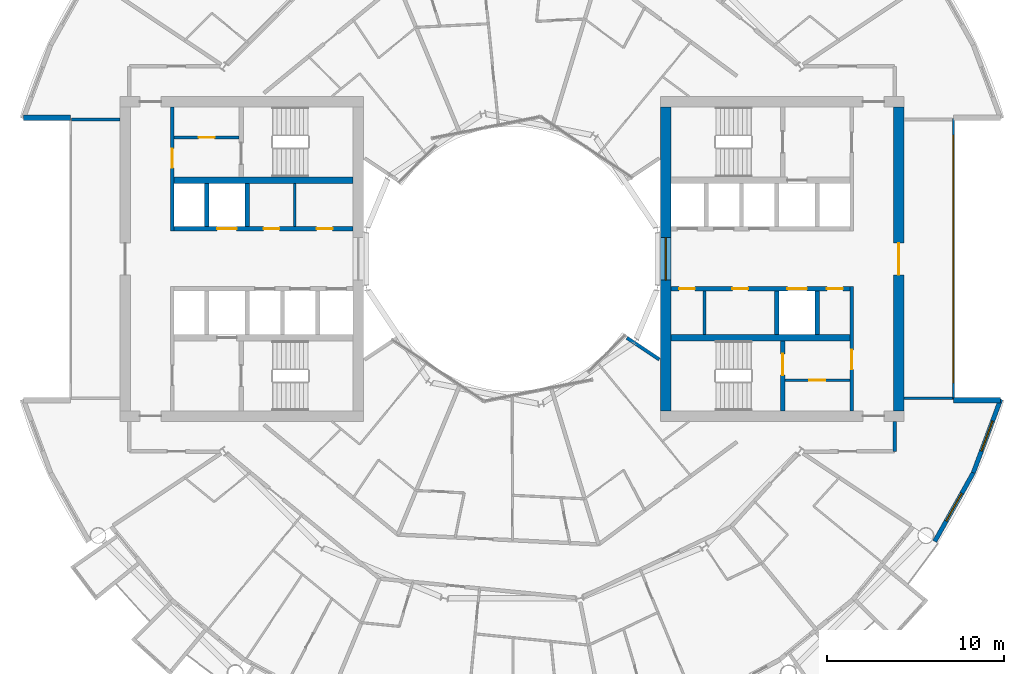
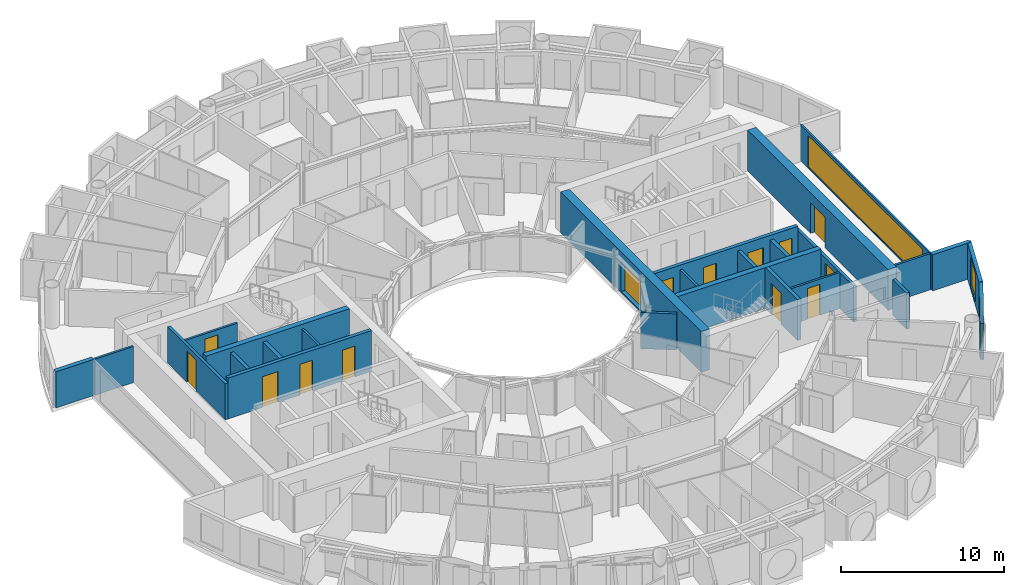
# One storey, part 18 of 27: 26 walls, 13 doors, 4 windows, 17 openings.
"""IFC4 building model written with IfcOpenShell, lengths in metres."""

from ifc_helpers import new_model, si_unit, direction, frame, frame_2d, origin, place, context, subcontext, project, spatial, rectangle, extrude, material, layer, layer_set, type_object, element, fill, save


model = new_model("IFC4")

# Units and contexts
model_context = context("Model", 3, precision=1e-05, world=origin(), true_north=direction((0.0, 1.0)))
body_context = subcontext(model_context, "Body", "Model", "MODEL_VIEW")
ifc_project = project(units=[si_unit("LENGTHUNIT", "METRE"), si_unit("AREAUNIT", "SQUARE_METRE"), si_unit("VOLUMEUNIT", "CUBIC_METRE"), si_unit("PLANEANGLEUNIT", "RADIAN"), si_unit("MASSUNIT", "GRAM", prefix="KILO")], contexts=[model_context])

# Site, building, storey
site_placement = place(None, origin())
site = spatial("IfcSite", under=ifc_project, at=site_placement, CompositionType="ELEMENT")
building_placement = place(site_placement, origin())
building = spatial("IfcBuilding", under=site, at=building_placement, Name="Maasbend Ring Residences", CompositionType="ELEMENT")
storey_placement = place(building_placement, frame((0.0, 0.0, 111.64990234375)))
storey = spatial("IfcBuildingStorey", under=building, at=storey_placement, Name="L31", CompositionType="ELEMENT", Elevation=111.64990234375)

# Wall, openings, doors
ifc_material_1 = material(Name="Concrete C60/75", Category="concrete")
ifc_layer_1 = layer(ifc_material_1, 0.25)
ifc_layer_set_1 = layer_set([ifc_layer_1], Name="Concrete C60/75")
wall_type_1 = type_object("IfcWallType", Name="CORE WALL 250 C60/75", PredefinedType="SHEAR", material=ifc_layer_set_1)
wall_1_placement = place(storey_placement, frame((19.14990234375, -1.699951171875, 0.0), z_axis=(0.0, 0.0, 1.0), x_axis=(-1.0, 0.0, 0.0)))
wall_1 = element("IfcWall", 1, at=wall_1_placement, inside=storey, type_object=wall_type_1, Name="L31 core E wall SPS", PredefinedType="SHEAR", context=body_context, shape_type="SweptSolid", body=[
    extrude(rectangle(XDim=10.14990234375, YDim=0.25, at=frame_2d((5.074951171875, 0.0))), origin(), (0.0, 0.0, 1.0), 3.050048828125),
])
opening_1_placement = place(wall_1_placement, frame((2.449951171875, 0.0, 0.0)))
opening_1 = element("IfcOpeningElement", 2, at=opening_1_placement, cuts=wall_1, Name="Opening LD-E3105", PredefinedType="OPENING", context=body_context, shape_type="SweptSolid", body=[
    extrude(rectangle(XDim=1.10009765625, YDim=2.300048828125, at=frame_2d((0.550048828125, 1.14990234375))), frame((0.0, 0.135009765625, 0.0), z_axis=(0.0, -1.0, 0.0), x_axis=(1.0, 0.0, 0.0)), (0.0, 0.0, 1.0), 0.27001953125),
])
opening_2_placement = place(wall_1_placement, frame((8.78759765625, 0.0, 0.0)))
opening_2 = element("IfcOpeningElement", 3, at=opening_2_placement, cuts=wall_1, Name="Opening D-E3106", PredefinedType="OPENING", context=body_context, shape_type="SweptSolid", body=[
    extrude(rectangle(XDim=0.89990234375, YDim=2.300048828125, at=frame_2d((0.449951171875, 1.14990234375))), frame((0.0, 0.135009765625, 0.0), z_axis=(0.0, -1.0, 0.0), x_axis=(1.0, 0.0, 0.0)), (0.0, 0.0, 1.0), 0.27001953125),
])
opening_3_placement = place(wall_1_placement, frame((5.77490234375, 0.0, 0.0)))
opening_3 = element("IfcOpeningElement", 4, at=opening_3_placement, cuts=wall_1, Name="Opening D-E3107", PredefinedType="OPENING", context=body_context, shape_type="SweptSolid", body=[
    extrude(rectangle(XDim=0.89990234375, YDim=2.300048828125, at=frame_2d((0.449951171875, 1.14990234375))), frame((0.0, 0.135009765625, 0.0), z_axis=(0.0, -1.0, 0.0), x_axis=(1.0, 0.0, 0.0)), (0.0, 0.0, 1.0), 0.27001953125),
])
opening_4_placement = place(wall_1_placement, frame((0.41259765625, 0.0, 0.0)))
opening_4 = element("IfcOpeningElement", 5, at=opening_4_placement, cuts=wall_1, Name="Opening D-E3108", PredefinedType="OPENING", context=body_context, shape_type="SweptSolid", body=[
    extrude(rectangle(XDim=0.89990234375, YDim=2.300048828125, at=frame_2d((0.449951171875, 1.14990234375))), frame((0.0, 0.135009765625, 0.0), z_axis=(0.0, -1.0, 0.0), x_axis=(1.0, 0.0, 0.0)), (0.0, 0.0, 1.0), 0.27001953125),
])
ifc_material_2 = material(Name="Stainless steel 316", Category="steel")
door_type_1 = type_object("IfcDoorType", Name="LANDING DOOR 1100 X 2300 FD60", OperationType="DOUBLE_DOOR_SLIDING", PredefinedType="DOOR", material=ifc_material_2)
door_1_placement = place(opening_1_placement, origin())
door_1 = element("IfcDoor", 6, at=door_1_placement, inside=storey, type_object=door_type_1, Name="Landing door SV-E L31", OperationType="DOUBLE_DOOR_SLIDING", OverallHeight=2.300048828125, OverallWidth=1.10009765625, PredefinedType="DOOR", context=body_context, shape_type="SweptSolid", body=[
    extrude(rectangle(XDim=1.10009765625, YDim=2.300048828125, at=frame_2d((0.550048828125, 1.14990234375))), frame((0.0, 0.02490234375, 0.0), z_axis=(0.0, -1.0, 0.0), x_axis=(1.0, 0.0, 0.0)), (0.0, 0.0, 1.0), 0.050048828125),
])
fill(opening_1, door_1)
ifc_material_3 = material(Name="Steel, powder coated", Category="steel")
door_type_2 = type_object("IfcDoorType", Name="ROOM DOOR 900 X 2300 FD30S", OperationType="NOTDEFINED", PredefinedType="DOOR", material=ifc_material_3)
door_2_placement = place(opening_2_placement, origin())
door_2 = element("IfcDoor", 7, at=door_2_placement, inside=storey, type_object=door_type_2, Name="Room door L31", OperationType="SINGLE_SWING_LEFT", OverallHeight=2.300048828125, OverallWidth=0.89990234375, PredefinedType="DOOR", context=body_context, shape_type="SweptSolid", body=[
    extrude(rectangle(XDim=0.89990234375, YDim=2.300048828125, at=frame_2d((0.449951171875, 1.14990234375))), frame((0.0, 0.02490234375, 0.0), z_axis=(0.0, -1.0, 0.0), x_axis=(1.0, 0.0, 0.0)), (0.0, 0.0, 1.0), 0.050048828125),
])
fill(opening_2, door_2)
door_3_placement = place(opening_3_placement, origin())
door_3 = element("IfcDoor", 8, at=door_3_placement, inside=storey, type_object=door_type_2, Name="Room door L31", OperationType="SINGLE_SWING_LEFT", OverallHeight=2.300048828125, OverallWidth=0.89990234375, PredefinedType="DOOR", context=body_context, shape_type="SweptSolid", body=[
    extrude(rectangle(XDim=0.89990234375, YDim=2.300048828125, at=frame_2d((0.449951171875, 1.14990234375))), frame((0.0, 0.02490234375, 0.0), z_axis=(0.0, -1.0, 0.0), x_axis=(1.0, 0.0, 0.0)), (0.0, 0.0, 1.0), 0.050048828125),
])
fill(opening_3, door_3)
door_4_placement = place(opening_4_placement, origin())
door_4 = element("IfcDoor", 9, at=door_4_placement, inside=storey, type_object=door_type_2, Name="Room door L31", OperationType="SINGLE_SWING_RIGHT", OverallHeight=2.300048828125, OverallWidth=0.89990234375, PredefinedType="DOOR", context=body_context, shape_type="SweptSolid", body=[
    extrude(rectangle(XDim=0.89990234375, YDim=2.300048828125, at=frame_2d((0.449951171875, 1.14990234375))), frame((0.0, 0.02490234375, 0.0), z_axis=(0.0, -1.0, 0.0), x_axis=(1.0, 0.0, 0.0)), (0.0, 0.0, 1.0), 0.050048828125),
])
fill(opening_4, door_4)

# Wall, opening, door
wall_2_placement = place(storey_placement, frame((15.324951171875, -8.60009765625, 0.0), z_axis=(0.0, 0.0, 1.0), x_axis=(0.0, 1.0, 0.0)))
wall_2 = element("IfcWall", 10, at=wall_2_placement, inside=storey, type_object=wall_type_1, Name="L31 core E wall STES", PredefinedType="SHEAR", context=body_context, shape_type="SweptSolid", body=[
    extrude(rectangle(XDim=3.9501953125, YDim=0.25, at=frame_2d((1.97509765625, 0.0))), origin(), (0.0, 0.0, 1.0), 3.050048828125),
])
opening_5_placement = place(wall_2_placement, frame((2.02490234375, 0.0, 0.0)))
opening_5 = element("IfcOpeningElement", 11, at=opening_5_placement, cuts=wall_2, Name="Opening D-E3111", PredefinedType="OPENING", context=body_context, shape_type="SweptSolid", body=[
    extrude(rectangle(XDim=1.199951171875, YDim=2.300048828125, at=frame_2d((0.60009765625, 1.14990234375))), frame((0.0, 0.135009765625, 0.0), z_axis=(0.0, -1.0, 0.0), x_axis=(1.0, 0.0, 0.0)), (0.0, 0.0, 1.0), 0.27001953125),
])
ifc_material_4 = material(Name="Steel, powder coated", Category="steel")
door_type_3 = type_object("IfcDoorType", Name="STAIR DOOR 1200 X 2300 FD60", OperationType="NOTDEFINED", PredefinedType="DOOR", material=ifc_material_4)
door_5_placement = place(opening_5_placement, origin())
door_5 = element("IfcDoor", 12, at=door_5_placement, inside=storey, type_object=door_type_3, Name="Stair door ST-E L31", OperationType="SINGLE_SWING_LEFT", OverallHeight=2.300048828125, OverallWidth=1.199951171875, PredefinedType="DOOR", context=body_context, shape_type="SweptSolid", body=[
    extrude(rectangle(XDim=1.199951171875, YDim=2.300048828125, at=frame_2d((0.60009765625, 1.14990234375))), frame((0.0, 0.02490234375, 0.0), z_axis=(0.0, -1.0, 0.0), x_axis=(1.0, 0.0, 0.0)), (0.0, 0.0, 1.0), 0.050048828125),
])
fill(opening_5, door_5)

# Wall, openings, doors
wall_3_placement = place(storey_placement, frame((-19.14990234375, 1.699951171875, 0.0), z_axis=(0.0, 0.0, 1.0), x_axis=(1.0, 0.0, 0.0)))
wall_3 = element("IfcWall", 13, at=wall_3_placement, inside=storey, type_object=wall_type_1, Name="L31 core W wall SPS", PredefinedType="SHEAR", context=body_context, shape_type="SweptSolid", body=[
    extrude(rectangle(XDim=10.14990234375, YDim=0.25, at=frame_2d((5.074951171875, 0.0))), origin(), (0.0, 0.0, 1.0), 3.050048828125),
])
opening_6_placement = place(wall_3_placement, frame((2.449951171875, 0.0, 0.0)))
opening_6 = element("IfcOpeningElement", 14, at=opening_6_placement, cuts=wall_3, Name="Opening LD-W3105", PredefinedType="OPENING", context=body_context, shape_type="SweptSolid", body=[
    extrude(rectangle(XDim=1.10009765625, YDim=2.300048828125, at=frame_2d((0.550048828125, 1.14990234375))), frame((0.0, 0.135009765625, 0.0), z_axis=(0.0, -1.0, 0.0), x_axis=(1.0, 0.0, 0.0)), (0.0, 0.0, 1.0), 0.27001953125),
])
opening_7_placement = place(wall_3_placement, frame((8.08740234375, 0.0, 0.0)))
opening_7 = element("IfcOpeningElement", 15, at=opening_7_placement, cuts=wall_3, Name="Opening D-W3106", PredefinedType="OPENING", context=body_context, shape_type="SweptSolid", body=[
    extrude(rectangle(XDim=0.89990234375, YDim=2.300048828125, at=frame_2d((0.449951171875, 1.14990234375))), frame((0.0, 0.135009765625, 0.0), z_axis=(0.0, -1.0, 0.0), x_axis=(1.0, 0.0, 0.0)), (0.0, 0.0, 1.0), 0.27001953125),
])
opening_8_placement = place(wall_3_placement, frame((5.074951171875, 0.0, 0.0)))
opening_8 = element("IfcOpeningElement", 16, at=opening_8_placement, cuts=wall_3, Name="Opening D-W3107", PredefinedType="OPENING", context=body_context, shape_type="SweptSolid", body=[
    extrude(rectangle(XDim=0.89990234375, YDim=2.300048828125, at=frame_2d((0.449951171875, 1.14990234375))), frame((0.0, 0.135009765625, 0.0), z_axis=(0.0, -1.0, 0.0), x_axis=(1.0, 0.0, 0.0)), (0.0, 0.0, 1.0), 0.27001953125),
])
door_6_placement = place(opening_6_placement, origin())
door_6 = element("IfcDoor", 17, at=door_6_placement, inside=storey, type_object=door_type_1, Name="Landing door SV-W L31", OperationType="DOUBLE_DOOR_SLIDING", OverallHeight=2.300048828125, OverallWidth=1.10009765625, PredefinedType="DOOR", context=body_context, shape_type="SweptSolid", body=[
    extrude(rectangle(XDim=1.10009765625, YDim=2.300048828125, at=frame_2d((0.550048828125, 1.14990234375))), frame((0.0, 0.02490234375, 0.0), z_axis=(0.0, -1.0, 0.0), x_axis=(1.0, 0.0, 0.0)), (0.0, 0.0, 1.0), 0.050048828125),
])
fill(opening_6, door_6)
door_7_placement = place(opening_7_placement, origin())
door_7 = element("IfcDoor", 18, at=door_7_placement, inside=storey, type_object=door_type_2, Name="Room door L31", OperationType="SINGLE_SWING_LEFT", OverallHeight=2.300048828125, OverallWidth=0.89990234375, PredefinedType="DOOR", context=body_context, shape_type="SweptSolid", body=[
    extrude(rectangle(XDim=0.89990234375, YDim=2.300048828125, at=frame_2d((0.449951171875, 1.14990234375))), frame((0.0, 0.02490234375, 0.0), z_axis=(0.0, -1.0, 0.0), x_axis=(1.0, 0.0, 0.0)), (0.0, 0.0, 1.0), 0.050048828125),
])
fill(opening_7, door_7)
door_8_placement = place(opening_8_placement, origin())
door_8 = element("IfcDoor", 19, at=door_8_placement, inside=storey, type_object=door_type_2, Name="Room door L31", OperationType="SINGLE_SWING_LEFT", OverallHeight=2.300048828125, OverallWidth=0.89990234375, PredefinedType="DOOR", context=body_context, shape_type="SweptSolid", body=[
    extrude(rectangle(XDim=0.89990234375, YDim=2.300048828125, at=frame_2d((0.449951171875, 1.14990234375))), frame((0.0, 0.02490234375, 0.0), z_axis=(0.0, -1.0, 0.0), x_axis=(1.0, 0.0, 0.0)), (0.0, 0.0, 1.0), 0.050048828125),
])
fill(opening_8, door_8)

# Walls
ifc_material_5 = material(Name="Concrete C60/75", Category="concrete")
ifc_layer_2 = layer(ifc_material_5, 0.375)
ifc_layer_set_2 = layer_set([ifc_layer_2], Name="Concrete C60/75")
wall_type_2 = type_object("IfcWallType", Name="CORE WALL 375 C60/75", PredefinedType="SHEAR", material=ifc_layer_set_2)
for number, where, z_axis, x_axis, name in (
    (20, (9.0, -4.46240234375, 0.0), (0.0, 0.0, 1.0), (1.0, 0.0, 0.0), "L31 core E wall BS"),
    (21, (-9.0, 4.46240234375, 0.0), (0.0, 0.0, 1.0), (-1.0, 0.0, 0.0), "L31 core W wall BS"),
):
    element("IfcWall", number, at=place(storey_placement, frame(where, z_axis=z_axis, x_axis=x_axis)), inside=storey, type_object=wall_type_2, Name=name, PredefinedType="SHEAR", context=body_context, shape_type="SweptSolid", body=[
        extrude(rectangle(XDim=10.14990234375, YDim=0.375, at=frame_2d((5.074951171875, 0.0))), origin(), (0.0, 0.0, 1.0), 3.050048828125),
    ])

# Wall, opening, door
ifc_material_6 = material(Name="Concrete C60/75", Category="concrete")
ifc_layer_3 = layer(ifc_material_6, 0.60009765625)
ifc_layer_set_3 = layer_set([ifc_layer_3], Name="Concrete C60/75")
wall_type_3 = type_object("IfcWallType", Name="CORE WALL 600 C60/75", PredefinedType="SHEAR", material=ifc_layer_set_3)
wall_4_placement = place(storey_placement, frame((21.89990234375, 8.60009765625, 0.0), z_axis=(0.0, 0.0, 1.0), x_axis=(0.0, -1.0, 0.0)))
wall_4 = element("IfcWall", 22, at=wall_4_placement, inside=storey, type_object=wall_type_3, Name="L31 core E wall POUT", PredefinedType="SHEAR", context=body_context, shape_type="SweptSolid", body=[
    extrude(rectangle(XDim=17.2001953125, YDim=0.60009765625, at=frame_2d((8.60009765625, 0.0))), origin(), (0.0, 0.0, 1.0), 3.050048828125),
])
opening_9_placement = place(wall_4_placement, frame((7.699951171875, 0.0, 0.0)))
opening_9 = element("IfcOpeningElement", 23, at=opening_9_placement, cuts=wall_4, Name="Opening D-E3116", PredefinedType="OPENING", context=body_context, shape_type="SweptSolid", body=[
    extrude(rectangle(XDim=1.800048828125, YDim=2.300048828125, at=frame_2d((0.89990234375, 1.14990234375))), frame((0.0, 0.31005859375, 0.0), z_axis=(0.0, -1.0, 0.0), x_axis=(1.0, 0.0, 0.0)), (0.0, 0.0, 1.0), 0.6201171875),
])
ifc_material_7 = material(Name="Aluminium frame, clear glass", Category="aluminium")
door_type_4 = type_object("IfcDoorType", Name="ENTRANCE DOOR 1800 X 2300 FD60", OperationType="NOTDEFINED", PredefinedType="DOOR", material=ifc_material_7)
door_9_placement = place(opening_9_placement, origin())
door_9 = element("IfcDoor", 24, at=door_9_placement, inside=storey, type_object=door_type_4, Name="Lobby glazed door L31", OperationType="SINGLE_SWING_LEFT", OverallHeight=2.300048828125, OverallWidth=1.800048828125, PredefinedType="DOOR", context=body_context, shape_type="SweptSolid", body=[
    extrude(rectangle(XDim=1.800048828125, YDim=2.300048828125, at=frame_2d((0.89990234375, 1.14990234375))), frame((0.0, 0.02490234375, 0.0), z_axis=(0.0, -1.0, 0.0), x_axis=(1.0, 0.0, 0.0)), (0.0, 0.0, 1.0), 0.050048828125),
])
fill(opening_9, door_9)

# Wall, opening, window
wall_5_placement = place(storey_placement, frame((8.699951171875, -8.60009765625, 0.0), z_axis=(0.0, 0.0, 1.0), x_axis=(0.0, 1.0, 0.0)))
wall_5 = element("IfcWall", 25, at=wall_5_placement, inside=storey, type_object=wall_type_3, Name="L31 core E wall PIN", PredefinedType="SHEAR", context=body_context, shape_type="SweptSolid", body=[
    extrude(rectangle(XDim=17.2001953125, YDim=0.60009765625, at=frame_2d((8.60009765625, 0.0))), origin(), (0.0, 0.0, 1.0), 3.050048828125),
])
opening_10_placement = place(wall_5_placement, frame((7.39990234375, 0.0, 0.10009765625)))
opening_10 = element("IfcOpeningElement", 26, at=opening_10_placement, cuts=wall_5, Name="Opening W-E3101", PredefinedType="OPENING", context=body_context, shape_type="SweptSolid", body=[
    extrude(rectangle(XDim=2.39990234375, YDim=2.199951171875, at=frame_2d((1.199951171875, 1.10009765625))), frame((0.0, 0.31005859375, 0.0), z_axis=(0.0, -1.0, 0.0), x_axis=(1.0, 0.0, 0.0)), (0.0, 0.0, 1.0), 0.6201171875),
])
ifc_material_8 = material(Name="Aluminium frame and clear glass", Category="aluminium")
window_type_1 = type_object("IfcWindowType", Name="FIXED WINDOW 2400 X 2200", PartitioningType="SINGLE_PANEL", PredefinedType="WINDOW", material=ifc_material_8)
window_1_placement = place(opening_10_placement, origin())
window_1 = element("IfcWindow", 27, at=window_1_placement, inside=storey, type_object=window_type_1, Name="Lobby window L31", OverallHeight=2.199951171875, OverallWidth=2.39990234375, PartitioningType="SINGLE_PANEL", PredefinedType="WINDOW", context=body_context, shape_type="SweptSolid", body=[
    extrude(rectangle(XDim=2.39990234375, YDim=2.199951171875, at=frame_2d((1.199951171875, 1.10009765625))), frame((0.0, 0.030029296875, 0.0), z_axis=(0.0, -1.0, 0.0), x_axis=(1.0, 0.0, 0.0)), (0.0, 0.0, 1.0), 0.06005859375),
])
fill(opening_10, window_1)

# Wall
ifc_material_9 = material(Name="Concrete C30/37", Category="concrete")
ifc_layer_4 = layer(ifc_material_9, 0.199951171875)
ifc_layer_set_4 = layer_set([ifc_layer_4], Name="Concrete C30/37")
wall_type_4 = type_object("IfcWallType", Name="CORRIDOR WALL 200 CONCRETE", PredefinedType="PARTITIONING", material=ifc_layer_set_4)
wall_6_placement = place(storey_placement, frame((21.675048828125, -10.89990234375, 0.0), z_axis=(0.0, 0.0, 1.0), x_axis=(0.0, 1.0, 0.0)))
element("IfcWall", 28, at=wall_6_placement, inside=storey, type_object=wall_type_4, Name="U-L31-w003", PredefinedType="PARTITIONING", context=body_context, shape_type="SweptSolid", body=[
    extrude(rectangle(XDim=1.699951171875, YDim=0.199951171875, at=frame_2d((0.85009765625, 0.0))), origin(), (0.0, 0.0, 1.0), 2.7001953125),
])

# Wall, opening, window
ifc_material_10 = material(Name="Aluminium clad insulated panel", Category="aluminium")
ifc_layer_5 = layer(ifc_material_10, 0.25)
ifc_layer_set_5 = layer_set([ifc_layer_5], Name="EW-HORN")
wall_type_5 = type_object("IfcWallType", Name="EW-HORN", PredefinedType="SOLIDWALL", material=ifc_layer_set_5)
wall_7_placement = place(storey_placement, frame((23.946044921875, -16.0, 0.0), z_axis=(0.0, 0.0, 1.0), x_axis=(0.489696356642, 0.871893042919, 0.0)))
wall_7 = element("IfcWall", 29, at=wall_7_placement, inside=storey, type_object=wall_type_5, Name="Horn wall 2.1", PredefinedType="SOLIDWALL", context=body_context, shape_type="SweptSolid", body=[
    extrude(rectangle(XDim=4.45361328125, YDim=0.25, at=frame_2d((2.226806640625, 0.0))), origin(), (0.0, 0.0, 1.0), 2.7001953125),
])
opening_11_placement = place(wall_7_placement, frame((1.32666015625, 0.0, 0.300048828125)))
opening_11 = element("IfcOpeningElement", 30, at=opening_11_placement, cuts=wall_7, Name="Opening W-BX", PredefinedType="OPENING", context=body_context, shape_type="SweptSolid", body=[
    extrude(rectangle(XDim=1.800048828125, YDim=2.10009765625, at=frame_2d((0.89990234375, 1.050048828125))), frame((0.0, 0.135009765625, 0.0), z_axis=(0.0, -1.0, 0.0), x_axis=(1.0, 0.0, 0.0)), (0.0, 0.0, 1.0), 0.27001953125),
])
ifc_material_11 = material(Name="Aluminium and clear glass", Category="aluminium")
window_type_2 = type_object("IfcWindowType", Name="W-BX", PartitioningType="DOUBLE_PANEL_VERTICAL", PredefinedType="WINDOW", material=ifc_material_11)
window_2_placement = place(opening_11_placement, origin())
window_2 = element("IfcWindow", 31, at=window_2_placement, inside=storey, type_object=window_type_2, Name="Horn window 2.1", OverallHeight=2.10009765625, OverallWidth=1.800048828125, PartitioningType="SINGLE_PANEL", PredefinedType="WINDOW", context=body_context, shape_type="SweptSolid", body=[
    extrude(rectangle(XDim=1.800048828125, YDim=2.10009765625, at=frame_2d((0.89990234375, 1.050048828125))), frame((0.0, 0.030029296875, 0.0), z_axis=(0.0, -1.0, 0.0), x_axis=(1.0, 0.0, 0.0)), (0.0, 0.0, 1.0), 0.06005859375),
])
fill(opening_11, window_2)

wall_8_placement = place(storey_placement, frame((26.126953125, -12.116943359375, 0.0), z_axis=(0.0, 0.0, 1.0), x_axis=(0.349247811493, 0.937030397675, 0.0)))
wall_8 = element("IfcWall", 32, at=wall_8_placement, inside=storey, type_object=wall_type_5, Name="Horn wall 2.2", PredefinedType="SOLIDWALL", context=body_context, shape_type="SweptSolid", body=[
    extrude(rectangle(XDim=4.4521484375, YDim=0.25, at=frame_2d((2.22607421875, 0.0))), origin(), (0.0, 0.0, 1.0), 2.7001953125),
])
opening_12_placement = place(wall_8_placement, frame((1.32666015625, 0.0, 0.300048828125)))
opening_12 = element("IfcOpeningElement", 33, at=opening_12_placement, cuts=wall_8, Name="Opening W-BX", PredefinedType="OPENING", context=body_context, shape_type="SweptSolid", body=[
    extrude(rectangle(XDim=1.800048828125, YDim=2.10009765625, at=frame_2d((0.89990234375, 1.050048828125))), frame((0.0, 0.135009765625, 0.0), z_axis=(0.0, -1.0, 0.0), x_axis=(1.0, 0.0, 0.0)), (0.0, 0.0, 1.0), 0.27001953125),
])
window_3_placement = place(opening_12_placement, origin())
window_3 = element("IfcWindow", 34, at=window_3_placement, inside=storey, type_object=window_type_2, Name="Horn window 2.2", OverallHeight=2.10009765625, OverallWidth=1.800048828125, PartitioningType="SINGLE_PANEL", PredefinedType="WINDOW", context=body_context, shape_type="SweptSolid", body=[
    extrude(rectangle(XDim=1.800048828125, YDim=2.10009765625, at=frame_2d((0.89990234375, 1.050048828125))), frame((0.0, 0.030029296875, 0.0), z_axis=(0.0, -1.0, 0.0), x_axis=(1.0, 0.0, 0.0)), (0.0, 0.0, 1.0), 0.06005859375),
])
fill(opening_12, window_3)

# Walls
ifc_material_12 = material(Name="Aluminium clad insulated panel", Category="aluminium")
ifc_layer_6 = layer(ifc_material_12, 0.300048828125)
ifc_layer_set_6 = layer_set([ifc_layer_6], Name="EW-RET")
wall_type_6 = type_object("IfcWallType", Name="EW-RET", PredefinedType="SOLIDWALL", material=ifc_layer_set_6)
for number, where, z_axis, x_axis, name in (
    (35, (25.0, -8.0, 0.0), (0.0, 0.0, 1.0), (1.0, 0.0, 0.0), "Notch return wall east south"),
    (36, (-25.0, 8.0, 0.0), (0.0, 0.0, 1.0), (-1.0, 0.0, 0.0), "Notch return wall west north"),
):
    element("IfcWall", number, at=place(storey_placement, frame(where, z_axis=z_axis, x_axis=x_axis)), inside=storey, type_object=wall_type_6, Name=name, PredefinedType="SOLIDWALL", context=body_context, shape_type="SweptSolid", body=[
        extrude(rectangle(XDim=2.6669921875, YDim=0.300048828125, at=frame_2d((1.33349609375, 0.0))), origin(), (0.0, 0.0, 1.0), 2.7001953125),
    ])

# Wall, opening, window
ifc_material_13 = material(Name="Aluminium frame and clear glass", Category="aluminium")
ifc_layer_7 = layer(ifc_material_13, 0.1201171875)
ifc_layer_set_7 = layer_set([ifc_layer_7], Name="GLAZED SCREEN WALL 120 EI 60")
wall_type_7 = type_object("IfcWallType", Name="GLAZED SCREEN WALL 120 EI 60", PredefinedType="PARTITIONING", material=ifc_layer_set_7)
wall_9_placement = place(storey_placement, frame((25.0, -7.949951171875, 0.0), z_axis=(0.0, 0.0, 1.0), x_axis=(0.0, 1.0, 0.0)))
wall_9 = element("IfcWall", 37, at=wall_9_placement, inside=storey, type_object=wall_type_7, Name="L31 core E wall FACE", PredefinedType="PARTITIONING", context=body_context, shape_type="SweptSolid", body=[
    extrude(rectangle(XDim=15.89990234375, YDim=0.1201171875, at=frame_2d((7.949951171875, 0.0))), origin(), (0.0, 0.0, 1.0), 2.7001953125),
])
opening_13_placement = place(wall_9_placement, frame((0.949951171875, 0.0, 0.10009765625)))
opening_13 = element("IfcOpeningElement", 38, at=opening_13_placement, cuts=wall_9, Name="Opening W-E3102", PredefinedType="OPENING", context=body_context, shape_type="SweptSolid", body=[
    extrude(rectangle(XDim=14.0, YDim=2.35009765625, at=frame_2d((7.0, 1.175048828125))), frame((0.0, 0.070068359375, 0.0), z_axis=(0.0, -1.0, 0.0), x_axis=(1.0, 0.0, 0.0)), (0.0, 0.0, 1.0), 0.14013671875),
])
ifc_material_14 = material(Name="Aluminium frame and clear glass", Category="aluminium")
window_type_3 = type_object("IfcWindowType", Name="FIXED WINDOW 14000 X 2350", PartitioningType="SINGLE_PANEL", PredefinedType="WINDOW", material=ifc_material_14)
window_4_placement = place(opening_13_placement, origin())
window_4 = element("IfcWindow", 39, at=window_4_placement, inside=storey, type_object=window_type_3, Name="Lobby window L31", OverallHeight=2.35009765625, OverallWidth=14.0, PartitioningType="SINGLE_PANEL", PredefinedType="WINDOW", context=body_context, shape_type="SweptSolid", body=[
    extrude(rectangle(XDim=14.0, YDim=2.35009765625, at=frame_2d((7.0, 1.175048828125))), frame((0.0, 0.030029296875, 0.0), z_axis=(0.0, -1.0, 0.0), x_axis=(1.0, 0.0, 0.0)), (0.0, 0.0, 1.0), 0.06005859375),
])
fill(opening_13, window_4)

# Wall
ifc_material_15 = material(Name="Gypsum board on steel studs", Category="steel")
ifc_layer_8 = layer(ifc_material_15, 0.14990234375)
ifc_layer_set_8 = layer_set([ifc_layer_8], Name="PARTITION 150 EI 60")
wall_type_8 = type_object("IfcWallType", Name="PARTITION 150 EI 60", PredefinedType="PARTITIONING", material=ifc_layer_set_8)
wall_10_placement = place(storey_placement, frame((10.89990234375, -1.824951171875, 0.0), z_axis=(0.0, 0.0, 1.0), x_axis=(0.0, -1.0, 0.0)))
element("IfcWall", 40, at=wall_10_placement, inside=storey, type_object=wall_type_8, Name="L31 core E wall PRS1090", PredefinedType="PARTITIONING", context=body_context, shape_type="SweptSolid", body=[
    extrude(rectangle(XDim=2.449951171875, YDim=0.14990234375, at=frame_2d((1.22509765625, 0.0))), origin(), (0.0, 0.0, 1.0), 2.7001953125),
])

# Wall, opening, door
wall_11_placement = place(storey_placement, frame((15.449951171875, -6.875, 0.0), z_axis=(0.0, 0.0, 1.0), x_axis=(1.0, 0.0, 0.0)))
wall_11 = element("IfcWall", 41, at=wall_11_placement, inside=storey, type_object=wall_type_8, Name="L31 core E wall RHS", PredefinedType="PARTITIONING", context=body_context, shape_type="SweptSolid", body=[
    extrude(rectangle(XDim=3.699951171875, YDim=0.14990234375, at=frame_2d((1.85009765625, 0.0))), origin(), (0.0, 0.0, 1.0), 2.7001953125),
])
opening_14_placement = place(wall_11_placement, frame((1.39990234375, 0.0, 0.0)))
opening_14 = element("IfcOpeningElement", 42, at=opening_14_placement, cuts=wall_11, Name="Opening D-E3109", PredefinedType="OPENING", context=body_context, shape_type="SweptSolid", body=[
    extrude(rectangle(XDim=0.89990234375, YDim=2.300048828125, at=frame_2d((0.449951171875, 1.14990234375))), frame((0.0, 0.0849609375, 0.0), z_axis=(0.0, -1.0, 0.0), x_axis=(1.0, 0.0, 0.0)), (0.0, 0.0, 1.0), 0.169921875),
])
ifc_material_16 = material(Name="Steel, powder coated", Category="steel")
door_type_5 = type_object("IfcDoorType", Name="RISER DOOR 900 X 2300 FD60", OperationType="NOTDEFINED", PredefinedType="DOOR", material=ifc_material_16)
door_10_placement = place(opening_14_placement, origin())
door_10 = element("IfcDoor", 43, at=door_10_placement, inside=storey, type_object=door_type_5, Name="Riser door L31", OperationType="SINGLE_SWING_LEFT", OverallHeight=2.300048828125, OverallWidth=0.89990234375, PredefinedType="DOOR", context=body_context, shape_type="SweptSolid", body=[
    extrude(rectangle(XDim=0.89990234375, YDim=2.300048828125, at=frame_2d((0.449951171875, 1.14990234375))), frame((0.0, 0.02490234375, 0.0), z_axis=(0.0, -1.0, 0.0), x_axis=(1.0, 0.0, 0.0)), (0.0, 0.0, 1.0), 0.050048828125),
])
fill(opening_14, door_10)

# Walls
wall_12_placement = place(storey_placement, frame((22.199951171875, -7.89990234375, 0.0), z_axis=(0.0, 0.0, 1.0), x_axis=(1.0, 0.0, 0.0)))
element("IfcWall", 44, at=wall_12_placement, inside=storey, type_object=wall_type_8, Name="L31 core E wall CITS", PredefinedType="PARTITIONING", context=body_context, shape_type="SweptSolid", body=[
    extrude(rectangle(XDim=2.739990234375, YDim=0.14990234375, at=frame_2d((1.3701171875, 0.0))), origin(), (0.0, 0.0, 1.0), 2.7001953125),
])
wall_13_placement = place(storey_placement, frame((-12.300048828125, 1.824951171875, 0.0), z_axis=(0.0, 0.0, 1.0), x_axis=(0.0, 1.0, 0.0)))
element("IfcWall", 45, at=wall_13_placement, inside=storey, type_object=wall_type_8, Name="L31 core W wall PRS1230", PredefinedType="PARTITIONING", context=body_context, shape_type="SweptSolid", body=[
    extrude(rectangle(XDim=2.449951171875, YDim=0.14990234375, at=frame_2d((1.22509765625, 0.0))), origin(), (0.0, 0.0, 1.0), 2.7001953125),
])

# Wall, opening, door
wall_14_placement = place(storey_placement, frame((-15.449951171875, 6.875, 0.0), z_axis=(0.0, 0.0, 1.0), x_axis=(-1.0, 0.0, 0.0)))
wall_14 = element("IfcWall", 46, at=wall_14_placement, inside=storey, type_object=wall_type_8, Name="L31 core W wall RHS", PredefinedType="PARTITIONING", context=body_context, shape_type="SweptSolid", body=[
    extrude(rectangle(XDim=3.699951171875, YDim=0.14990234375, at=frame_2d((1.85009765625, 0.0))), origin(), (0.0, 0.0, 1.0), 2.7001953125),
])
opening_15_placement = place(wall_14_placement, frame((1.39990234375, 0.0, 0.0)))
opening_15 = element("IfcOpeningElement", 47, at=opening_15_placement, cuts=wall_14, Name="Opening D-W3108", PredefinedType="OPENING", context=body_context, shape_type="SweptSolid", body=[
    extrude(rectangle(XDim=0.89990234375, YDim=2.300048828125, at=frame_2d((0.449951171875, 1.14990234375))), frame((0.0, 0.0849609375, 0.0), z_axis=(0.0, -1.0, 0.0), x_axis=(1.0, 0.0, 0.0)), (0.0, 0.0, 1.0), 0.169921875),
])
door_11_placement = place(opening_15_placement, origin())
door_11 = element("IfcDoor", 48, at=door_11_placement, inside=storey, type_object=door_type_5, Name="Riser door L31", OperationType="SINGLE_SWING_LEFT", OverallHeight=2.300048828125, OverallWidth=0.89990234375, PredefinedType="DOOR", context=body_context, shape_type="SweptSolid", body=[
    extrude(rectangle(XDim=0.89990234375, YDim=2.300048828125, at=frame_2d((0.449951171875, 1.14990234375))), frame((0.0, 0.02490234375, 0.0), z_axis=(0.0, -1.0, 0.0), x_axis=(1.0, 0.0, 0.0)), (0.0, 0.0, 1.0), 0.050048828125),
])
fill(opening_15, door_11)

# Walls
wall_15_placement = place(storey_placement, frame((-22.199951171875, 7.89990234375, 0.0), z_axis=(0.0, 0.0, 1.0), x_axis=(-1.0, 0.0, 0.0)))
element("IfcWall", 49, at=wall_15_placement, inside=storey, type_object=wall_type_8, Name="L31 core W wall CITS", PredefinedType="PARTITIONING", context=body_context, shape_type="SweptSolid", body=[
    extrude(rectangle(XDim=2.739990234375, YDim=0.14990234375, at=frame_2d((1.3701171875, 0.0))), origin(), (0.0, 0.0, 1.0), 2.7001953125),
])
ifc_material_17 = material(Name="Concrete C30/37", Category="concrete")
ifc_layer_9 = layer(ifc_material_17, 0.199951171875)
ifc_layer_set_9 = layer_set([ifc_layer_9], Name="Concrete C30/37")
wall_type_9 = type_object("IfcWallType", Name="PARTY WALL 200 CONCRETE", PredefinedType="PARTITIONING", material=ifc_layer_set_9)
wall_16_placement = place(storey_placement, frame((6.512939453125, -4.471923828125, 0.0), z_axis=(0.0, 0.0, 1.0), x_axis=(0.831333375071, -0.555774072347, 0.0)))
element("IfcWall", 50, at=wall_16_placement, inside=storey, type_object=wall_type_9, Name="U-L31-w027", PredefinedType="PARTITIONING", context=body_context, shape_type="SweptSolid", body=[
    extrude(rectangle(XDim=2.20263671875, YDim=0.199951171875, at=frame_2d((1.101318359375, 0.0))), origin(), (0.0, 0.0, 1.0), 2.7001953125),
])

# Wall, opening, door
ifc_material_18 = material(Name="Concrete C30/37", Category="concrete")
ifc_layer_10 = layer(ifc_material_18, 0.199951171875)
ifc_layer_set_10 = layer_set([ifc_layer_10], Name="Concrete C30/37")
wall_type_10 = type_object("IfcWallType", Name="SHAFT WALL 200 EI 120", PredefinedType="SOLIDWALL", material=ifc_layer_set_10)
wall_17_placement = place(storey_placement, frame((19.25, -8.60009765625, 0.0), z_axis=(0.0, 0.0, 1.0), x_axis=(0.0, 1.0, 0.0)))
wall_17 = element("IfcWall", 51, at=wall_17_placement, inside=storey, type_object=wall_type_10, Name="L31 core E wall ENDS", PredefinedType="SOLIDWALL", context=body_context, shape_type="SweptSolid", body=[
    extrude(rectangle(XDim=7.025146484375, YDim=0.199951171875, at=frame_2d((3.5126953125, 0.0))), origin(), (0.0, 0.0, 1.0), 2.7001953125),
])
opening_16_placement = place(wall_17_placement, frame((2.35009765625, 0.0, 0.0)))
opening_16 = element("IfcOpeningElement", 52, at=opening_16_placement, cuts=wall_17, Name="Opening D-E3113", PredefinedType="OPENING", context=body_context, shape_type="SweptSolid", body=[
    extrude(rectangle(XDim=1.10009765625, YDim=2.300048828125, at=frame_2d((0.550048828125, 1.14990234375))), frame((0.0, 0.10986328125, 0.0), z_axis=(0.0, -1.0, 0.0), x_axis=(1.0, 0.0, 0.0)), (0.0, 0.0, 1.0), 0.219970703125),
])
ifc_material_19 = material(Name="Steel, powder coated", Category="steel")
door_type_6 = type_object("IfcDoorType", Name="LOBBY DOOR 1100 X 2300 FD60", OperationType="NOTDEFINED", PredefinedType="DOOR", material=ifc_material_19)
door_12_placement = place(opening_16_placement, origin())
door_12 = element("IfcDoor", 53, at=door_12_placement, inside=storey, type_object=door_type_6, Name="Lobby door L31", OperationType="SINGLE_SWING_RIGHT", OverallHeight=2.300048828125, OverallWidth=1.10009765625, PredefinedType="DOOR", context=body_context, shape_type="SweptSolid", body=[
    extrude(rectangle(XDim=1.10009765625, YDim=2.300048828125, at=frame_2d((0.550048828125, 1.14990234375))), frame((0.0, 0.02490234375, 0.0), z_axis=(0.0, -1.0, 0.0), x_axis=(1.0, 0.0, 0.0)), (0.0, 0.0, 1.0), 0.050048828125),
])
fill(opening_16, door_12)

wall_18_placement = place(storey_placement, frame((-19.25, 8.60009765625, 0.0), z_axis=(0.0, 0.0, 1.0), x_axis=(0.0, -1.0, 0.0)))
wall_18 = element("IfcWall", 54, at=wall_18_placement, inside=storey, type_object=wall_type_10, Name="L31 core W wall ENDS", PredefinedType="SOLIDWALL", context=body_context, shape_type="SweptSolid", body=[
    extrude(rectangle(XDim=7.025146484375, YDim=0.199951171875, at=frame_2d((3.5126953125, 0.0))), origin(), (0.0, 0.0, 1.0), 2.7001953125),
])
opening_17_placement = place(wall_18_placement, frame((2.35009765625, 0.0, 0.0)))
opening_17 = element("IfcOpeningElement", 55, at=opening_17_placement, cuts=wall_18, Name="Opening D-W3112", PredefinedType="OPENING", context=body_context, shape_type="SweptSolid", body=[
    extrude(rectangle(XDim=1.10009765625, YDim=2.300048828125, at=frame_2d((0.550048828125, 1.14990234375))), frame((0.0, 0.10986328125, 0.0), z_axis=(0.0, -1.0, 0.0), x_axis=(1.0, 0.0, 0.0)), (0.0, 0.0, 1.0), 0.219970703125),
])
door_13_placement = place(opening_17_placement, origin())
door_13 = element("IfcDoor", 56, at=door_13_placement, inside=storey, type_object=door_type_6, Name="Lobby door L31", OperationType="SINGLE_SWING_RIGHT", OverallHeight=2.300048828125, OverallWidth=1.10009765625, PredefinedType="DOOR", context=body_context, shape_type="SweptSolid", body=[
    extrude(rectangle(XDim=1.10009765625, YDim=2.300048828125, at=frame_2d((0.550048828125, 1.14990234375))), frame((0.0, 0.02490234375, 0.0), z_axis=(0.0, -1.0, 0.0), x_axis=(1.0, 0.0, 0.0)), (0.0, 0.0, 1.0), 0.050048828125),
])
fill(opening_17, door_13)

# Walls
ifc_material_20 = material(Name="Concrete C30/37", Category="concrete")
ifc_layer_11 = layer(ifc_material_20, 0.25)
ifc_layer_set_11 = layer_set([ifc_layer_11], Name="Concrete C30/37")
wall_type_11 = type_object("IfcWallType", Name="SHAFT WALL 250 EI 120", PredefinedType="SOLIDWALL", material=ifc_layer_set_11)
for number, where, z_axis, x_axis, name in (
    (57, (15.0, -1.824951171875, 0.0), (0.0, 0.0, 1.0), (0.0, -1.0, 0.0), "L31 core E wall D150S"),
    (58, (17.300048828125, -1.824951171875, 0.0), (0.0, 0.0, 1.0), (0.0, -1.0, 0.0), "L31 core E wall D173S"),
    (59, (-15.0, 1.824951171875, 0.0), (0.0, 0.0, 1.0), (0.0, 1.0, 0.0), "L31 core W wall D150S"),
    (60, (-17.300048828125, 1.824951171875, 0.0), (0.0, 0.0, 1.0), (0.0, 1.0, 0.0), "L31 core W wall D173S"),
):
    element("IfcWall", number, at=place(storey_placement, frame(where, z_axis=z_axis, x_axis=x_axis)), inside=storey, type_object=wall_type_11, Name=name, PredefinedType="SOLIDWALL", context=body_context, shape_type="SweptSolid", body=[
        extrude(rectangle(XDim=2.449951171875, YDim=0.25, at=frame_2d((1.22509765625, 0.0))), origin(), (0.0, 0.0, 1.0), 2.7001953125),
    ])

save(model, "model.ifc")
